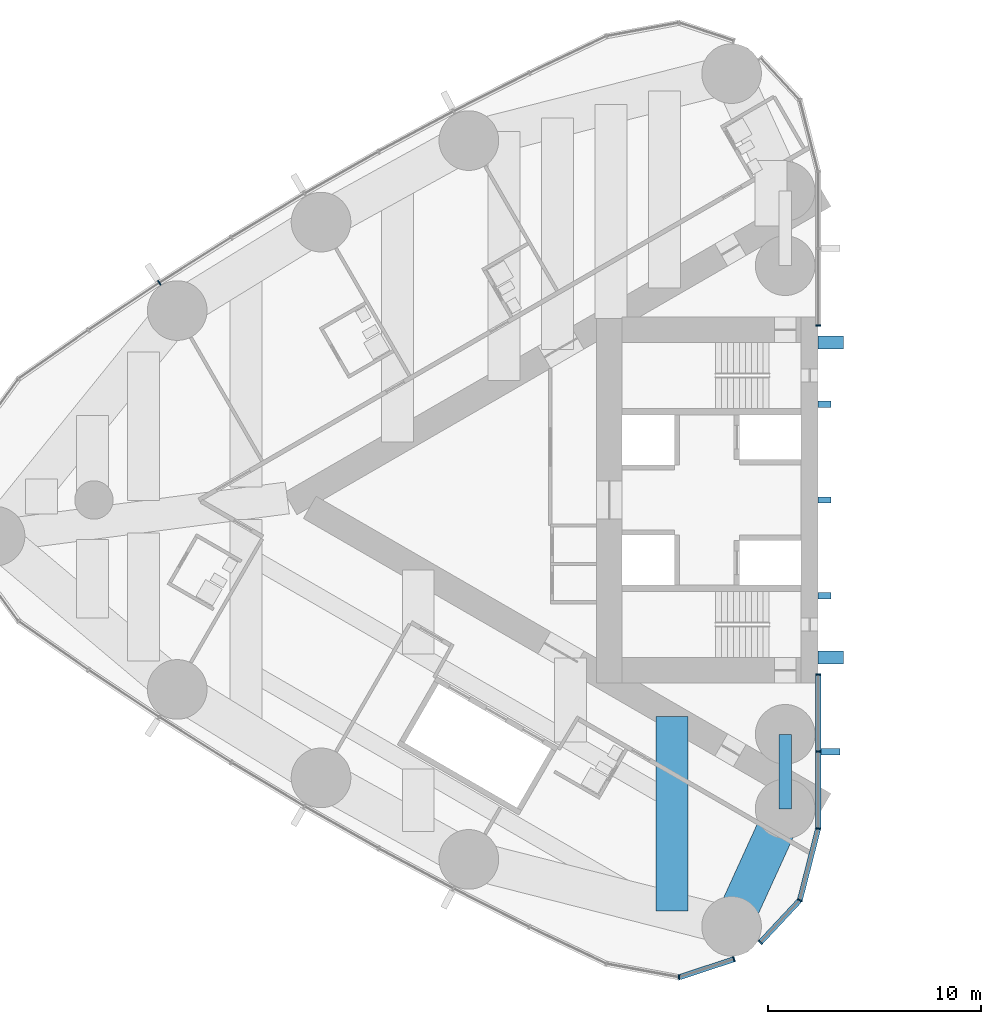
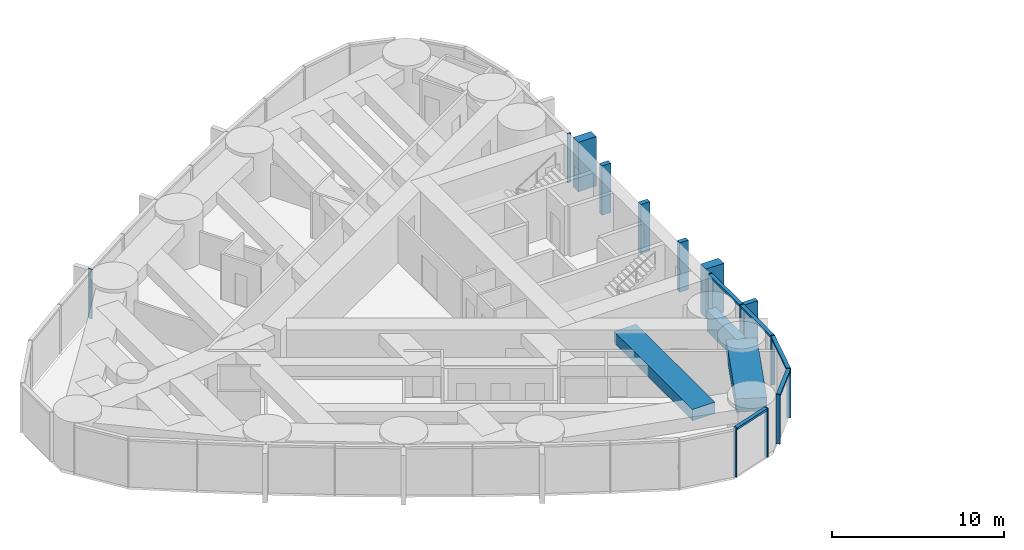
# One storey, part 4 of 19: 20 members, 3 beams, 4 elements without a shape of their own.
"""IFC4 building model written with IfcOpenShell, lengths in metres."""

import ifcopenshell
import ifcopenshell.guid

model = None  # the IFC model being written
_history = None  # IfcOwnerHistory: only IFC2X3 demands one
_inside = {}  # id of a spatial element -> (the spatial element, [elements in it])
_under = {}  # id of a project, library or spatial element -> (it, [spatial elements below it])
_declared = {}  # id of a project -> (the project, [libraries it declares])
_typed = {}  # id of a type object -> (the type object, [elements of that type])
_made_of = {}  # id of a material, layer set ... -> (it, [elements and type objects made of it])


def new_model(schema):
    """Start an empty IFC model of exactly this schema.

    Asked for "IFC4X3", IfcOpenShell would pick the latest addendum, in which some entities
    have other attributes; the version numbers below select the first issue.
    IFC2X3 requires an IfcOwnerHistory on every rooted entity: one is made here for all.
    """
    global model, _history
    if schema == "IFC4X3":
        model = ifcopenshell.file(schema_version=(4, 3, 0, 0))
    else:
        model = ifcopenshell.file(schema=schema)
    _inside.clear()
    _under.clear()
    _declared.clear()
    _typed.clear()
    _made_of.clear()
    _history = None
    if model.schema == "IFC2X3":
        org = make("IfcOrganization", Name="unknown")
        user = make(
            "IfcPersonAndOrganization",
            ThePerson=make("IfcPerson", FamilyName="unknown"),
            TheOrganization=org,
        )
        app = make(
            "IfcApplication",
            ApplicationDeveloper=org,
            Version="unknown",
            ApplicationFullName="unknown",
            ApplicationIdentifier="unknown",
        )
        _history = make(
            "IfcOwnerHistory",
            OwningUser=user,
            OwningApplication=app,
            ChangeAction="ADDED",
            CreationDate=0,
        )
    return model


def make(cls, **values):
    """One entity of the class cls with the attributes given. An attribute that is None is left unset."""
    return model.create_entity(
        cls, **{name: value for name, value in values.items() if value is not None}
    )


def rooted(cls, **values):
    """An entity with a GlobalId (a new one), such as an element, a storey or a relation."""
    return make(cls, GlobalId=ifcopenshell.guid.new(), OwnerHistory=_history, **values)


def si_unit(unit_type, name, prefix=None):
    """IfcSIUnit, for example si_unit("LENGTHUNIT", "METRE", prefix="MILLI")."""
    return make("IfcSIUnit", UnitType=unit_type, Prefix=prefix, Name=name)


def assignment(units):
    """IfcUnitAssignment: the units of a project."""
    return None if units is None else make("IfcUnitAssignment", Units=units)


def point(xyz):
    """IfcCartesianPoint."""
    return None if xyz is None else make("IfcCartesianPoint", Coordinates=xyz)


def direction(xyz):
    """IfcDirection."""
    return None if xyz is None else make("IfcDirection", DirectionRatios=xyz)


def frame(location, z_axis=None, x_axis=None):
    """IfcAxis2Placement3D, a coordinate frame: its origin and axes. An axis left out is left unset."""
    return make(
        "IfcAxis2Placement3D",
        Location=point(location),
        Axis=direction(z_axis),
        RefDirection=direction(x_axis),
    )


def frame_2d(location, x_axis=None):
    """IfcAxis2Placement2D, a coordinate frame in the plane: its origin and x axis."""
    return make(
        "IfcAxis2Placement2D", Location=point(location), RefDirection=direction(x_axis)
    )


def origin():
    """The frame at (0, 0, 0) with its axes left unset."""
    return frame((0.0, 0.0, 0.0))


def origin_2d():
    """The frame at (0, 0) in the plane with its x axis left unset."""
    return frame_2d((0.0, 0.0))


def place(relative_to, where):
    """IfcLocalPlacement: puts the frame where relative to a parent placement (None: the world)."""
    return make(
        "IfcLocalPlacement", PlacementRelTo=relative_to, RelativePlacement=where
    )


def context(
    kind, dimensions, precision=None, world=None, true_north=None, identifier=None
):
    """IfcGeometricRepresentationContext, for example the 3D "Model" context."""
    return make(
        "IfcGeometricRepresentationContext",
        ContextIdentifier=identifier,
        ContextType=kind,
        CoordinateSpaceDimension=dimensions,
        Precision=precision,
        WorldCoordinateSystem=world,
        TrueNorth=true_north,
    )


def subcontext(parent, identifier, kind, view, scale=None):
    """IfcGeometricRepresentationSubContext, for example "Body" below "Model"."""
    return make(
        "IfcGeometricRepresentationSubContext",
        ContextIdentifier=identifier,
        ContextType=kind,
        ParentContext=parent,
        TargetScale=scale,
        TargetView=view,
    )


def project(units=None, contexts=None):
    """IfcProject with its units and contexts."""
    return rooted(
        "IfcProject",
        Name="project",
        RepresentationContexts=contexts,
        UnitsInContext=assignment(units),
    )


def spatial(cls, under=None, at=None, **own):
    """A site, building, storey or space (cls), placed at a placement, below another one or the project."""
    s = rooted(cls, ObjectPlacement=at, **own)
    if under is not None:
        _under.setdefault(under.id(), (under, []))[1].append(s)
    return s


def profile(cls, at=None, kind="AREA", **sizes):
    """A parametric profile (cls). Its sizes go by their IFC names, for example OverallWidth=200.0."""
    return make(cls, ProfileType=kind, Position=at, **sizes)


def rectangle(**sizes):
    """IfcRectangleProfileDef."""
    return profile("IfcRectangleProfileDef", **sizes)


def hollow_rectangle(**sizes):
    """IfcRectangleHollowProfileDef."""
    return profile("IfcRectangleHollowProfileDef", **sizes)


def extrude(swept, where, along, depth):
    """IfcExtrudedAreaSolid: the profile swept, set in the frame where, extruded along a direction by depth."""
    return make(
        "IfcExtrudedAreaSolid",
        SweptArea=swept,
        Position=where,
        ExtrudedDirection=direction(along),
        Depth=depth,
    )


def shape(context_of_items, identifier, shape_type, items):
    """IfcShapeRepresentation: the items that make up one representation, for example the "Body"."""
    return make(
        "IfcShapeRepresentation",
        ContextOfItems=context_of_items,
        RepresentationIdentifier=identifier,
        RepresentationType=shape_type,
        Items=items,
    )


def material(Name=None, Category=None):
    """IfcMaterial."""
    return make("IfcMaterial", Name=Name, Category=Category)


def material_profile(
    of_material, cross_section, Name=None, Category=None, Priority=None
):
    """IfcMaterialProfile: a cross section and its material."""
    return make(
        "IfcMaterialProfile",
        Name=Name,
        Material=of_material,
        Profile=cross_section,
        Priority=Priority,
        Category=Category,
    )


def profile_set(profiles, Name=None, composite=None):
    """IfcMaterialProfileSet."""
    return make(
        "IfcMaterialProfileSet",
        Name=Name,
        MaterialProfiles=profiles,
        CompositeProfile=composite,
    )


def made_of(thing, what):
    """Note that an element or type object is made of a material, layer set ...; save() writes the relation."""
    if what is not None:
        _made_of.setdefault(what.id(), (what, []))[1].append(thing)
    return thing


def type_object(cls, material=None, **own):
    """A type object (cls), such as IfcWallType, which elements share."""
    return made_of(rooted(cls, **own), material)


def element(
    cls,
    number,
    at=None,
    inside=None,
    cuts=None,
    type_object=None,
    material=None,
    context=None,
    identifier="Body",
    shape_type=None,
    held_by="IfcProductDefinitionShape",
    body=None,
    shapes=None,
    **own,
):
    """One element of the class cls, such as IfcWall. Its Tag is "e" and its number.

    at: its placement. inside: the storey or other place that contains it. cuts: it is an
    opening in that element (IfcRelVoidsElement). A single representation is given by context,
    identifier, shape_type and body (its items); several are given by shapes. held_by: the class
    of the entity that holds the representations. save() writes the other relations.
    """
    e = rooted(cls, Tag="e%d" % number, ObjectPlacement=at, **own)
    if body is not None:
        shapes = [shape(context, identifier, shape_type, body)]
    if shapes is not None:
        e.Representation = make(held_by, Representations=shapes)
    if inside is not None:
        _inside.setdefault(inside.id(), (inside, []))[1].append(e)
    if cuts is not None:
        rooted(
            "IfcRelVoidsElement", RelatingBuildingElement=cuts, RelatedOpeningElement=e
        )
    if type_object is not None:
        _typed.setdefault(type_object.id(), (type_object, []))[1].append(e)
    return made_of(e, material)


def aggregate(whole, parts):
    """IfcRelAggregates: a whole, such as a stair, and the parts it consists of."""
    return rooted("IfcRelAggregates", RelatingObject=whole, RelatedObjects=parts)


def save(model, path):
    """Write the relations noted so far, then the file.

    IfcRelAggregates (storeys below a building ...), IfcRelContainedInSpatialStructure (elements
    in a storey), IfcRelDefinesByType, IfcRelAssociatesMaterial and IfcRelDeclares: one each for
    every whole, place, type object, material and project.
    """
    for whole, parts in _under.values():
        aggregate(whole, parts)
    for where, things in _inside.values():
        rooted(
            "IfcRelContainedInSpatialStructure",
            RelatedElements=things,
            RelatingStructure=where,
        )
    for kind, things in _typed.values():
        rooted("IfcRelDefinesByType", RelatedObjects=things, RelatingType=kind)
    for what, things in _made_of.values():
        rooted("IfcRelAssociatesMaterial", RelatedObjects=things, RelatingMaterial=what)
    for by, libraries in _declared.values():
        rooted("IfcRelDeclares", RelatingContext=by, RelatedDefinitions=libraries)
    model.write(path)


model = new_model("IFC4")

# Units and contexts
model_context = context("Model", 3, precision=1e-05, world=origin(), true_north=direction((0.0, 1.0)))
body_context = subcontext(model_context, "Body", "Model", "MODEL_VIEW")
ifc_project = project(units=[si_unit("LENGTHUNIT", "METRE"), si_unit("AREAUNIT", "SQUARE_METRE"), si_unit("VOLUMEUNIT", "CUBIC_METRE"), si_unit("PLANEANGLEUNIT", "RADIAN"), si_unit("MASSUNIT", "GRAM", prefix="KILO")], contexts=[model_context])

# Site, building, storey
site_placement = place(None, origin())
site = spatial("IfcSite", under=ifc_project, at=site_placement, CompositionType="ELEMENT")
building_placement = place(site_placement, origin())
building = spatial("IfcBuilding", under=site, at=building_placement, Name="Lancet Gate Hotel", CompositionType="ELEMENT")
storey_placement = place(building_placement, frame((0.0, 0.0, 191.300048828125)))
storey = spatial("IfcBuildingStorey", under=building, at=storey_placement, Name="L51", CompositionType="ELEMENT", Elevation=191.300048828125)

# Curtain wall, member
ifc_material_1 = material(Name="Aluminium curtain wall", Category="aluminium")
curtain_wall_type = type_object("IfcCurtainWallType", Name="Tower unitised curtain wall", PredefinedType="USERDEFINED", material=ifc_material_1)
curtain_wall_1_placement = place(storey_placement, origin())
curtain_wall_1 = element("IfcCurtainWall", 1, at=curtain_wall_1_placement, inside=storey, type_object=curtain_wall_type, Name="T1 L51 curtain wall 1", ObjectType="UNITISED CURTAIN WALL", PredefinedType="USERDEFINED")
ifc_material_2 = material(Name="Aluminium mullion", Category="aluminium")
ifc_material_profile_1 = material_profile(ifc_material_2, rectangle(XDim=0.06494140625, YDim=0.25, at=origin_2d()), Name="MULLION 65x250")
ifc_profile_set_1 = profile_set([ifc_material_profile_1], Name="Aluminium mullion")
member_type_1 = type_object("IfcMemberType", Name="Aluminium mullion 65x250", PredefinedType="MULLION", material=ifc_profile_set_1)
member_1_placement = place(storey_placement, frame((-27.5, 8.199951171875, 0.0), z_axis=(0.0, 0.0, 1.0), x_axis=(0.0, 1.0, 0.0)))
member_1 = element("IfcMember", 2, at=member_1_placement, type_object=member_type_1, Name="T1 L51 curtain wall 1 mullion 1", PredefinedType="MULLION", context=body_context, shape_type="SweptSolid", body=[
    extrude(rectangle(XDim=0.06494140625, YDim=0.25, at=origin_2d()), origin(), (0.0, 0.0, 1.0), 3.5),
])
aggregate(curtain_wall_1, [member_1])

curtain_wall_2_placement = place(storey_placement, origin())
curtain_wall_2 = element("IfcCurtainWall", 3, at=curtain_wall_2_placement, inside=storey, type_object=curtain_wall_type, Name="T1 L51 curtain wall 2", ObjectType="UNITISED CURTAIN WALL", PredefinedType="USERDEFINED")
member_2_placement = place(storey_placement, frame((-58.43212890625, 10.194091796875, 0.0), z_axis=(0.0, 0.0, 1.0), x_axis=(-0.839331119324, -0.54362052218, 0.0)))
member_2 = element("IfcMember", 4, at=member_2_placement, type_object=member_type_1, Name="T1 L51 curtain wall 2 mullion 9", PredefinedType="MULLION", context=body_context, shape_type="SweptSolid", body=[
    extrude(rectangle(XDim=0.06494140625, YDim=0.25, at=origin_2d()), origin(), (0.0, 0.0, 1.0), 3.5),
])
aggregate(curtain_wall_2, [member_2])

# Curtain wall, members
curtain_wall_3_placement = place(storey_placement, origin())
curtain_wall_3 = element("IfcCurtainWall", 5, at=curtain_wall_3_placement, inside=storey, type_object=curtain_wall_type, Name="T1 L51 curtain wall 3", ObjectType="UNITISED CURTAIN WALL", PredefinedType="USERDEFINED")
member_3_placement = place(storey_placement, frame((-34.02783203125, -22.407470703125, 0.0), z_axis=(0.0, 0.0, 1.0), x_axis=(0.999350473622, 0.036036521361, 0.0)))
member_3 = element("IfcMember", 6, at=member_3_placement, type_object=member_type_1, Name="T1 L51 curtain wall 3 mullion 11", PredefinedType="MULLION", context=body_context, shape_type="SweptSolid", body=[
    extrude(rectangle(XDim=0.06494140625, YDim=0.25, at=origin_2d()), origin(), (0.0, 0.0, 1.0), 3.5),
])
member_4_placement = place(storey_placement, frame((-31.45263671875, -21.5595703125, 0.0), z_axis=(0.0, 0.0, 1.0), x_axis=(0.949848055084, 0.312711803827, 0.0)))
member_4 = element("IfcMember", 7, at=member_4_placement, type_object=member_type_1, Name="T1 L51 curtain wall 3 mullion 12", PredefinedType="MULLION", context=body_context, shape_type="SweptSolid", body=[
    extrude(rectangle(XDim=0.06494140625, YDim=0.25, at=origin_2d()), origin(), (0.0, 0.0, 1.0), 3.5),
])

curtain_wall_4_placement = place(storey_placement, origin())
curtain_wall_4 = element("IfcCurtainWall", 8, at=curtain_wall_4_placement, inside=storey, type_object=curtain_wall_type, Name="T1 L51 curtain wall 4", ObjectType="UNITISED CURTAIN WALL", PredefinedType="USERDEFINED")
member_5_placement = place(storey_placement, frame((-30.210693359375, -20.765625, 0.0), z_axis=(0.0, 0.0, 1.0), x_axis=(0.682844962172, 0.730563315282, 0.0)))
member_5 = element("IfcMember", 9, at=member_5_placement, type_object=member_type_1, Name="T1 L51 curtain wall 4 mullion 1", PredefinedType="MULLION", context=body_context, shape_type="SweptSolid", body=[
    extrude(rectangle(XDim=0.06494140625, YDim=0.25, at=origin_2d()), origin(), (0.0, 0.0, 1.0), 3.5),
])
member_6_placement = place(storey_placement, frame((-28.360595703125, -18.7861328125, 0.0), z_axis=(0.0, 0.0, 1.0), x_axis=(0.452507601198, 0.891760545695, 0.0)))
member_6 = element("IfcMember", 10, at=member_6_placement, type_object=member_type_1, Name="T1 L51 curtain wall 4 mullion 2", PredefinedType="MULLION", context=body_context, shape_type="SweptSolid", body=[
    extrude(rectangle(XDim=0.06494140625, YDim=0.25, at=origin_2d()), origin(), (0.0, 0.0, 1.0), 3.5),
])
member_7_placement = place(storey_placement, frame((-27.5, -15.42333984375, 0.0), z_axis=(0.0, 0.0, 1.0), x_axis=(0.122467472845, 0.992472527627, 0.0)))
member_7 = element("IfcMember", 11, at=member_7_placement, type_object=member_type_1, Name="T1 L51 curtain wall 4 mullion 3", PredefinedType="MULLION", context=body_context, shape_type="SweptSolid", body=[
    extrude(rectangle(XDim=0.06494140625, YDim=0.25, at=origin_2d()), origin(), (0.0, 0.0, 1.0), 3.5),
])
member_8_placement = place(storey_placement, frame((-27.5, -11.811767578125, 0.0), z_axis=(0.0, 0.0, 1.0), x_axis=(0.0, 1.0, 0.0)))
member_8 = element("IfcMember", 12, at=member_8_placement, type_object=member_type_1, Name="T1 L51 curtain wall 4 mullion 4", PredefinedType="MULLION", context=body_context, shape_type="SweptSolid", body=[
    extrude(rectangle(XDim=0.06494140625, YDim=0.25, at=origin_2d()), origin(), (0.0, 0.0, 1.0), 3.5),
])
member_9_placement = place(storey_placement, frame((-27.5, -8.199951171875, 0.0), z_axis=(0.0, 0.0, 1.0), x_axis=(0.0, 1.0, 0.0)))
member_9 = element("IfcMember", 13, at=member_9_placement, type_object=member_type_1, Name="T1 L51 curtain wall 4 mullion 5", PredefinedType="MULLION", context=body_context, shape_type="SweptSolid", body=[
    extrude(rectangle(XDim=0.06494140625, YDim=0.25, at=origin_2d()), origin(), (0.0, 0.0, 1.0), 3.5),
])

# Member
ifc_material_3 = material(Name="Aluminium transom", Category="aluminium")
ifc_material_profile_2 = material_profile(ifc_material_3, rectangle(XDim=0.25, YDim=0.14990234375, at=origin_2d()), Name="TRANSOM 250x150")
ifc_profile_set_2 = profile_set([ifc_material_profile_2], Name="Aluminium transom")
member_type_2 = type_object("IfcMemberType", Name="Aluminium transom 250x150", PredefinedType="USERDEFINED", material=ifc_profile_set_2)
member_10_placement = place(storey_placement, frame((-33.9970703125, -22.397216796875, 3.425048828125), z_axis=(0.949857661259, 0.312682623993, 0.0), x_axis=(-0.312682623993, 0.949857661259, 0.0)))
member_10 = element("IfcMember", 14, at=member_10_placement, type_object=member_type_2, Name="T1 L51 curtain wall 3 transom 11", ObjectType="TRANSOM", PredefinedType="USERDEFINED", context=body_context, shape_type="SweptSolid", body=[
    extrude(rectangle(XDim=0.25, YDim=0.14990234375, at=origin_2d()), origin(), (0.0, 0.0, 1.0), 2.64599609375),
])

aggregate(curtain_wall_3, [member_3, member_4, member_10])

member_11_placement = place(storey_placement, frame((-30.188720703125, -20.741943359375, 3.425048828125), z_axis=(0.682841037959, 0.730566983157, 0.0), x_axis=(-0.730566983157, 0.682841037959, 0.0)))
member_11 = element("IfcMember", 15, at=member_11_placement, type_object=member_type_2, Name="T1 L51 curtain wall 4 transom 1", ObjectType="TRANSOM", PredefinedType="USERDEFINED", context=body_context, shape_type="SweptSolid", body=[
    extrude(rectangle(XDim=0.25, YDim=0.14990234375, at=origin_2d()), origin(), (0.0, 0.0, 1.0), 2.644775390625),
])

member_12_placement = place(storey_placement, frame((-28.3525390625, -18.754638671875, 3.425048828125), z_axis=(0.247928683912, 0.968778286139, 0.0), x_axis=(-0.968778286139, 0.247928683912, 0.0)))
member_12 = element("IfcMember", 16, at=member_12_placement, type_object=member_type_2, Name="T1 L51 curtain wall 4 transom 2", ObjectType="TRANSOM", PredefinedType="USERDEFINED", context=body_context, shape_type="SweptSolid", body=[
    extrude(rectangle(XDim=0.25, YDim=0.14990234375, at=origin_2d()), origin(), (0.0, 0.0, 1.0), 3.40625),
])

member_13_placement = place(storey_placement, frame((-27.5, -15.390869140625, 3.425048828125), z_axis=(0.0, 1.0, 0.0), x_axis=(-1.0, 0.0, 0.0)))
member_13 = element("IfcMember", 17, at=member_13_placement, type_object=member_type_2, Name="T1 L51 curtain wall 4 transom 3", ObjectType="TRANSOM", PredefinedType="USERDEFINED", context=body_context, shape_type="SweptSolid", body=[
    extrude(rectangle(XDim=0.25, YDim=0.14990234375, at=origin_2d()), origin(), (0.0, 0.0, 1.0), 3.546630859375),
])

member_14_placement = place(storey_placement, frame((-27.5, -11.779296875, 3.425048828125), z_axis=(0.0, 1.0, 0.0), x_axis=(-1.0, 0.0, 0.0)))
member_14 = element("IfcMember", 18, at=member_14_placement, type_object=member_type_2, Name="T1 L51 curtain wall 4 transom 4", ObjectType="TRANSOM", PredefinedType="USERDEFINED", context=body_context, shape_type="SweptSolid", body=[
    extrude(rectangle(XDim=0.25, YDim=0.14990234375, at=origin_2d()), origin(), (0.0, 0.0, 1.0), 3.546875),
])

# Beam
ifc_material_4 = material(Name="Concrete C50/60", Category="concrete")
ifc_material_profile_3 = material_profile(ifc_material_4, rectangle(XDim=1.800048828125, YDim=0.949951171875, at=origin_2d()), Name="RC 1800x950")
ifc_profile_set_3 = profile_set([ifc_material_profile_3], Name="Concrete C50/60")
beam_type_1 = type_object("IfcBeamType", Name="Edge beam RC 1800x950", PredefinedType="SPANDREL", material=ifc_profile_set_3)
beam_1_placement = place(storey_placement, frame((-29.050048828125, -14.5, 2.77490234375), z_axis=(-0.414919206993, -0.909858259109, 0.0), x_axis=(0.909858259109, -0.414919206993, 0.0)))
element("IfcBeam", 19, at=beam_1_placement, inside=storey, type_object=beam_type_1, Name="T1 edge beam EB1 L51", PredefinedType="SPANDREL", context=body_context, shape_type="SweptSolid", body=[
    extrude(rectangle(XDim=1.800048828125, YDim=0.949951171875, at=origin_2d()), origin(), (0.0, 0.0, 1.0), 6.062255859375),
])

# Members
ifc_material_5 = material(Name="Concrete C60/75", Category="concrete")
ifc_material_profile_4 = material_profile(ifc_material_5, rectangle(XDim=0.60009765625, YDim=1.199951171875, at=origin_2d()), Name="FIN 600x1200")
ifc_profile_set_4 = profile_set([ifc_material_profile_4], Name="Concrete C60/75")
member_type_3 = type_object("IfcMemberType", Name="Exposed concrete buttress pilaster 600x1200", PredefinedType="USERDEFINED", material=ifc_profile_set_4)
for number, where, z_axis, x_axis, name in (
    (20, (-26.909912109375, 7.39990234375, 0.0), (0.0, 0.0, 1.0), (0.0, 1.0, 0.0), "T1 buttress pilaster S L51"),
    (21, (-26.909912109375, -7.39990234375, 0.0), (0.0, 0.0, 1.0), (0.0, 1.0, 0.0), "T1 buttress pilaster N L51"),
):
    element("IfcMember", number, at=place(storey_placement, frame(where, z_axis=z_axis, x_axis=x_axis)), inside=storey, type_object=member_type_3, Name=name, ObjectType="FIN", PredefinedType="USERDEFINED", context=body_context, shape_type="SweptSolid", body=[
        extrude(rectangle(XDim=0.60009765625, YDim=1.199951171875, at=origin_2d()), origin(), (0.0, 0.0, 1.0), 3.5),
    ])

# Member
ifc_material_6 = material(Name="Precast concrete C50/60", Category="concrete")
ifc_material_profile_5 = material_profile(ifc_material_6, rectangle(XDim=0.300048828125, YDim=0.89990234375, at=origin_2d()), Name="FIN 300x900")
ifc_profile_set_5 = profile_set([ifc_material_profile_5], Name="Precast concrete C50/60")
member_type_4 = type_object("IfcMemberType", Name="Exposed concrete fin 300x900", PredefinedType="USERDEFINED", material=ifc_profile_set_5)
member_15_placement = place(storey_placement, frame((-26.925048828125, -11.811767578125, 0.0), z_axis=(0.0, 0.0, 1.0), x_axis=(0.0, 1.0, 0.0)))
member_15 = element("IfcMember", 22, at=member_15_placement, type_object=member_type_4, Name="T1 L51 curtain wall 4 fin 4", ObjectType="FIN", PredefinedType="USERDEFINED", context=body_context, shape_type="SweptSolid", body=[
    extrude(rectangle(XDim=0.300048828125, YDim=0.89990234375, at=origin_2d()), origin(), (0.0, 0.0, 1.0), 3.5),
])

aggregate(curtain_wall_4, [member_5, member_6, member_7, member_8, member_15, member_9, member_11, member_12, member_13, member_14])

# Members
ifc_material_7 = material(Name="Concrete C60/75", Category="concrete")
ifc_material_profile_6 = material_profile(ifc_material_7, rectangle(XDim=0.300048828125, YDim=0.60009765625, at=origin_2d()), Name="FIN 300x600")
ifc_profile_set_6 = profile_set([ifc_material_profile_6], Name="Concrete C60/75")
member_type_5 = type_object("IfcMemberType", Name="Exposed concrete rib 300x600", PredefinedType="USERDEFINED", material=ifc_profile_set_6)
for number, where, z_axis, x_axis, name in (
    (23, (-27.2099609375, 4.5, 0.0), (0.0, 0.0, 1.0), (0.0, 1.0, 0.0), "T1 core rib 1 L51"),
    (24, (-27.2099609375, 0.0, 0.0), (0.0, 0.0, 1.0), (0.0, 1.0, 0.0), "T1 core rib 2 L51"),
    (25, (-27.2099609375, -4.5, 0.0), (0.0, 0.0, 1.0), (0.0, 1.0, 0.0), "T1 core rib 3 L51"),
):
    element("IfcMember", number, at=place(storey_placement, frame(where, z_axis=z_axis, x_axis=x_axis)), inside=storey, type_object=member_type_5, Name=name, ObjectType="FIN", PredefinedType="USERDEFINED", context=body_context, shape_type="SweptSolid", body=[
        extrude(rectangle(XDim=0.300048828125, YDim=0.60009765625, at=origin_2d()), origin(), (0.0, 0.0, 1.0), 3.5),
    ])

# Beams
ifc_material_8 = material(Name="Concrete C50/60", Category="concrete")
ifc_material_profile_7 = material_profile(ifc_material_8, rectangle(XDim=1.5, YDim=0.800048828125, at=origin_2d()), Name="RC 1500x800")
ifc_profile_set_7 = profile_set([ifc_material_profile_7], Name="Concrete C50/60")
beam_type_2 = type_object("IfcBeamType", Name="Floor beam RC 1500x800", PredefinedType="BEAM", material=ifc_profile_set_7)
beam_2_placement = place(storey_placement, frame((-34.353515625, -10.169921875, 2.849853515625), z_axis=(0.0, -1.0, 0.0), x_axis=(1.0, 0.0, 0.0)))
element("IfcBeam", 26, at=beam_2_placement, inside=storey, type_object=beam_type_2, Name="T1 floor beam F02N L51", PredefinedType="BEAM", context=body_context, shape_type="SweptSolid", body=[
    extrude(rectangle(XDim=1.5, YDim=0.800048828125, at=origin_2d()), origin(), (0.0, 0.0, 1.0), 9.13525390625),
])
ifc_material_9 = material(Name="Steel S460QL", Category="steel")
ifc_material_profile_8 = material_profile(ifc_material_9, hollow_rectangle(XDim=0.60009765625, YDim=1.5, WallThickness=0.050048828125, at=origin_2d()), Name="BOX 1500x600x50")
ifc_profile_set_8 = profile_set([ifc_material_profile_8], Name="Steel S460QL")
beam_type_3 = type_object("IfcBeamType", Name="Inner-face link beam BOX 1500x600x50", PredefinedType="BEAM", material=ifc_profile_set_8)
beam_3_placement = place(storey_placement, frame((-29.050048828125, -11.0, 2.5), z_axis=(0.0, -1.0, 0.0), x_axis=(1.0, 0.0, 0.0)))
element("IfcBeam", 27, at=beam_3_placement, inside=storey, type_object=beam_type_3, Name="T1 inner-face link beam LK1 L51", PredefinedType="BEAM", context=body_context, shape_type="SweptSolid", body=[
    extrude(hollow_rectangle(XDim=0.60009765625, YDim=1.5, WallThickness=0.050048828125, at=origin_2d()), origin(), (0.0, 0.0, 1.0), 3.5),
])

save(model, "model.ifc")
